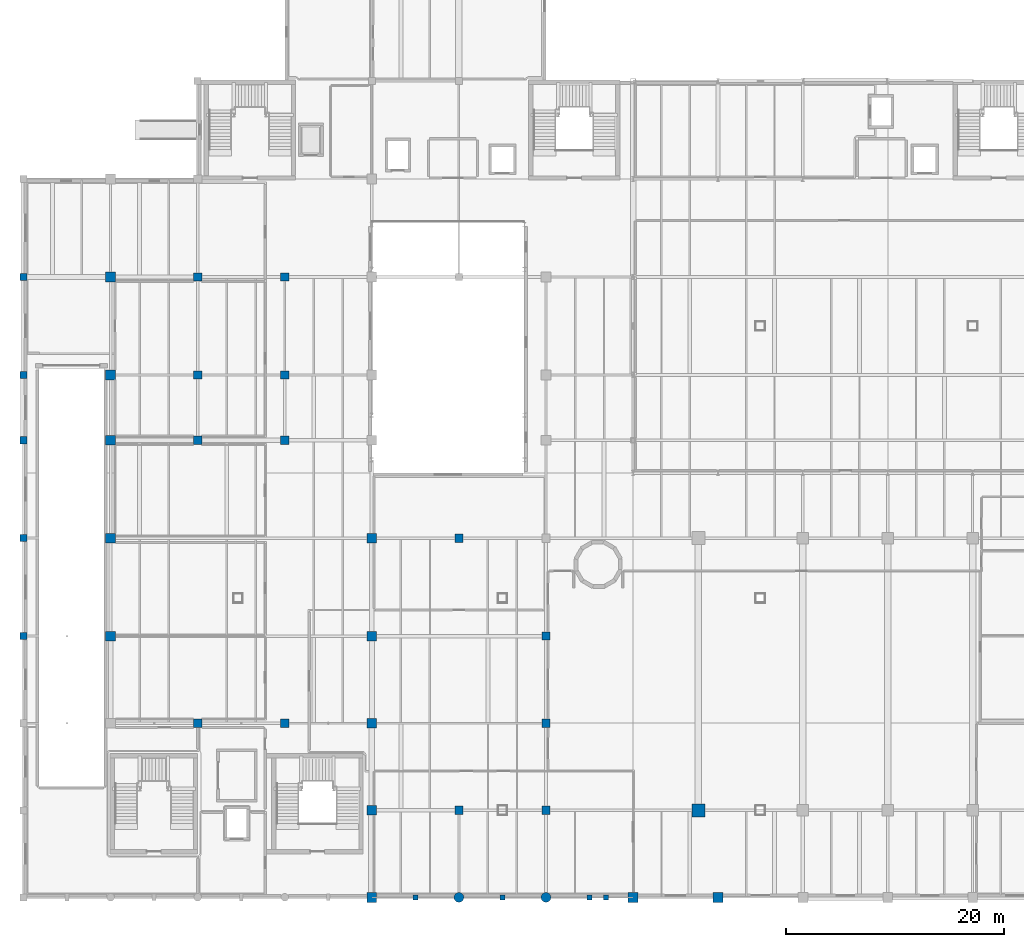
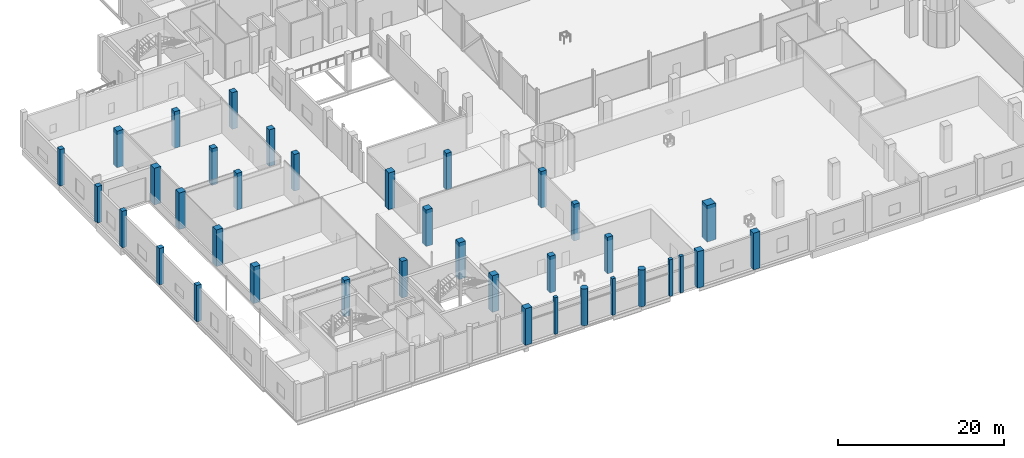
# One storey, part 2 of 57: 37 columns.
"""IFC4 building model written with IfcOpenShell, lengths in metres."""

from ifc_helpers import new_model, si_unit, derived_unit, direction, frame, origin, origin_2d, place, context, subcontext, project, spatial, rectangle, circle, extrude, material, material_profile, profile_set, type_object, element, save


model = new_model("IFC4")

# Units and contexts
model_context = context("Model", 3, precision=1e-05, world=origin(), true_north=direction((0.0, 1.0)))
body_context = subcontext(model_context, "Body", "Model", "MODEL_VIEW")
ifc_project = project(units=[si_unit("LENGTHUNIT", "METRE"), si_unit("AREAUNIT", "SQUARE_METRE"), si_unit("VOLUMEUNIT", "CUBIC_METRE"), si_unit("PLANEANGLEUNIT", "RADIAN"), si_unit("MASSUNIT", "GRAM", prefix="KILO"), derived_unit("THERMALTRANSMITTANCEUNIT", [(si_unit("POWERUNIT", "WATT"), 1), (si_unit("LENGTHUNIT", "METRE"), -2), (si_unit("THERMODYNAMICTEMPERATUREUNIT", "KELVIN"), -1)])], contexts=[model_context])

# Site, building, storey
site_placement = place(None, origin())
site = spatial("IfcSite", under=ifc_project, at=site_placement, CompositionType="ELEMENT")
building_placement = place(site_placement, origin())
building = spatial("IfcBuilding", under=site, at=building_placement, Name="Nallur Shell Playhouse", CompositionType="ELEMENT")
storey_placement = place(building_placement, origin())
storey = spatial("IfcBuildingStorey", under=building, at=storey_placement, Name="L01", CompositionType="ELEMENT", Elevation=0.0)

# Columns
ifc_material_1 = material(Name="Concrete M45", Category="concrete")
ifc_material_profile_1 = material_profile(ifc_material_1, rectangle(XDim=1.199951171875, YDim=1.199951171875, at=origin_2d()), Name="RC 1200x1200")
ifc_profile_set_1 = profile_set([ifc_material_profile_1], Name="Concrete M45")
column_type_1 = type_object("IfcColumnType", Name="CL-RC-1200", PredefinedType="COLUMN", material=ifc_profile_set_1)
column_1_placement = place(storey_placement, frame((70.0, 16.0, 0.0), z_axis=(0.0, 0.0, 1.0), x_axis=(1.0, 0.0, 0.0)))
element("IfcColumn", 1, at=column_1_placement, inside=storey, type_object=column_type_1, Name="Column MC1S (L01)", PredefinedType="COLUMN", context=body_context, shape_type="SweptSolid", body=[
    extrude(rectangle(XDim=1.199951171875, YDim=1.199951171875, at=origin_2d()), origin(), (0.0, 0.0, 1.0), 5.39990234375),
])
ifc_material_2 = material(Name="Concrete M30", Category="concrete")
ifc_material_profile_2 = material_profile(ifc_material_2, rectangle(XDim=0.449951171875, YDim=0.449951171875, at=origin_2d()), Name="RC 450x450")
ifc_profile_set_2 = profile_set([ifc_material_profile_2], Name="Concrete M30")
column_type_2 = type_object("IfcColumnType", Name="CL-RC-450", PredefinedType="COLUMN", material=ifc_profile_set_2)
for number, where, z_axis, x_axis, name in (
    (2, (44.0, 8.0, 0.0), (0.0, 0.0, 1.0), (1.0, 0.0, 0.0), "Column CAN-1 (L01)"),
    (3, (52.0, 8.0, 0.0), (0.0, 0.0, 1.0), (1.0, 0.0, 0.0), "Column CAN-2 (L01)"),
    (4, (60.0, 8.0, 0.0), (0.0, 0.0, 1.0), (1.0, 0.0, 0.0), "Column CAN-3 (L01)"),
):
    element("IfcColumn", number, at=place(storey_placement, frame(where, z_axis=z_axis, x_axis=x_axis)), inside=storey, type_object=column_type_2, Name=name, PredefinedType="COLUMN", context=body_context, shape_type="SweptSolid", body=[
        extrude(rectangle(XDim=0.449951171875, YDim=0.449951171875, at=origin_2d()), origin(), (0.0, 0.0, 1.0), 5.39990234375),
    ])
column_2_placement = place(storey_placement, frame((61.5, 8.0, 0.0), z_axis=(0.0, 0.0, 1.0), x_axis=(1.0, 0.0, 0.0)))
element("IfcColumn", 5, at=column_2_placement, inside=storey, type_object=column_type_2, Name="Column CAN-4 (L01)", PredefinedType="COLUMN", context=body_context, shape_type="SweptSolid", body=[
    extrude(rectangle(XDim=0.449951171875, YDim=0.449951171875, at=origin_2d()), origin(), (0.0, 0.0, 1.0), 5.360107421875),
])
ifc_material_3 = material(Name="Concrete M35", Category="concrete")
ifc_material_profile_3 = material_profile(ifc_material_3, rectangle(XDim=0.64990234375, YDim=0.64990234375, at=origin_2d()), Name="RC 650x650")
ifc_profile_set_3 = profile_set([ifc_material_profile_3], Name="Concrete M35")
column_type_3 = type_object("IfcColumnType", Name="CL-RC-650", PredefinedType="COLUMN", material=ifc_profile_set_3)
for number, where, z_axis, x_axis, name in (
    (6, (8.0, 32.0, 0.0), (0.0, 0.0, 1.0), (1.0, 0.0, 0.0), "Column 1-D (L01)"),
    (7, (8.0, 41.0, 0.0), (0.0, 0.0, 1.0), (1.0, 0.0, 0.0), "Column 1-E (L01)"),
    (8, (8.0, 50.0, 0.0), (0.0, 0.0, 1.0), (1.0, 0.0, 0.0), "Column 1-F (L01)"),
    (9, (8.0, 56.0, 0.0), (0.0, 0.0, 1.0), (1.0, 0.0, 0.0), "Column 1-G (L01)"),
    (10, (8.0, 65.0, 0.0), (0.0, 0.0, 1.0), (1.0, 0.0, 0.0), "Column 1-H (L01)"),
):
    element("IfcColumn", number, at=place(storey_placement, frame(where, z_axis=z_axis, x_axis=x_axis)), inside=storey, type_object=column_type_3, Name=name, PredefinedType="COLUMN", context=body_context, shape_type="SweptSolid", body=[
        extrude(rectangle(XDim=0.64990234375, YDim=0.64990234375, at=origin_2d()), origin(), (0.0, 0.0, 1.0), 5.360107421875),
    ])
ifc_material_4 = material(Name="Concrete M40", Category="concrete")
ifc_material_profile_4 = material_profile(ifc_material_4, rectangle(XDim=0.75, YDim=0.75, at=origin_2d()), Name="RC 750x750")
ifc_profile_set_4 = profile_set([ifc_material_profile_4], Name="Concrete M40")
column_type_4 = type_object("IfcColumnType", Name="CL-RC-750", PredefinedType="COLUMN", material=ifc_profile_set_4)
for number, where, z_axis, x_axis, name in (
    (11, (24.0, 24.0, 0.0), (0.0, 0.0, 1.0), (1.0, 0.0, 0.0), "Column 3-C (L01)"),
    (12, (24.0, 50.0, 0.0), (0.0, 0.0, 1.0), (1.0, 0.0, 0.0), "Column 3-F (L01)"),
    (13, (24.0, 56.0, 0.0), (0.0, 0.0, 1.0), (1.0, 0.0, 0.0), "Column 3-G (L01)"),
    (14, (24.0, 65.0, 0.0), (0.0, 0.0, 1.0), (1.0, 0.0, 0.0), "Column 3-H (L01)"),
    (15, (32.0, 24.0, 0.0), (0.0, 0.0, 1.0), (1.0, 0.0, 0.0), "Column 4-C (L01)"),
    (16, (32.0, 50.0, 0.0), (0.0, 0.0, 1.0), (1.0, 0.0, 0.0), "Column 4-F (L01)"),
    (17, (32.0, 56.0, 0.0), (0.0, 0.0, 1.0), (1.0, 0.0, 0.0), "Column 4-G (L01)"),
    (18, (32.0, 65.0, 0.0), (0.0, 0.0, 1.0), (1.0, 0.0, 0.0), "Column 4-H (L01)"),
    (19, (48.0, 16.0, 0.0), (0.0, 0.0, 1.0), (1.0, 0.0, 0.0), "Column 6-B (L01)"),
    (20, (48.0, 41.0, 0.0), (0.0, 0.0, 1.0), (1.0, 0.0, 0.0), "Column 6-E (L01)"),
    (21, (56.0, 16.0, 0.0), (0.0, 0.0, 1.0), (1.0, 0.0, 0.0), "Column 7-B (L01)"),
    (22, (56.0, 24.0, 0.0), (0.0, 0.0, 1.0), (1.0, 0.0, 0.0), "Column 7-C (L01)"),
    (23, (56.0, 32.0, 0.0), (0.0, 0.0, 1.0), (1.0, 0.0, 0.0), "Column 7-D (L01)"),
):
    element("IfcColumn", number, at=place(storey_placement, frame(where, z_axis=z_axis, x_axis=x_axis)), inside=storey, type_object=column_type_4, Name=name, PredefinedType="COLUMN", context=body_context, shape_type="SweptSolid", body=[
        extrude(rectangle(XDim=0.75, YDim=0.75, at=origin_2d()), origin(), (0.0, 0.0, 1.0), 5.39990234375),
    ])
ifc_material_profile_5 = material_profile(ifc_material_4, rectangle(XDim=0.89990234375, YDim=0.89990234375, at=origin_2d()), Name="RC 900x900")
ifc_profile_set_5 = profile_set([ifc_material_profile_5], Name="Concrete M40")
column_type_5 = type_object("IfcColumnType", Name="CL-RC-900", PredefinedType="COLUMN", material=ifc_profile_set_5)
for number, where, z_axis, x_axis, name in (
    (24, (16.0, 32.0, 0.0), (0.0, 0.0, 1.0), (1.0, 0.0, 0.0), "Column 2-D (L01)"),
    (25, (16.0, 41.0, 0.0), (0.0, 0.0, 1.0), (1.0, 0.0, 0.0), "Column 2-E (L01)"),
    (26, (16.0, 50.0, 0.0), (0.0, 0.0, 1.0), (1.0, 0.0, 0.0), "Column 2-F (L01)"),
    (27, (16.0, 56.0, 0.0), (0.0, 0.0, 1.0), (1.0, 0.0, 0.0), "Column 2-G (L01)"),
    (28, (16.0, 65.0, 0.0), (0.0, 0.0, 1.0), (1.0, 0.0, 0.0), "Column 2-H (L01)"),
    (29, (40.0, 8.0, 0.0), (0.0, 0.0, 1.0), (1.0, 0.0, 0.0), "Column 5-A (L01)"),
    (30, (40.0, 16.0, 0.0), (0.0, 0.0, 1.0), (1.0, 0.0, 0.0), "Column 5-B (L01)"),
    (31, (40.0, 24.0, 0.0), (0.0, 0.0, 1.0), (1.0, 0.0, 0.0), "Column 5-C (L01)"),
    (32, (40.0, 32.0, 0.0), (0.0, 0.0, 1.0), (1.0, 0.0, 0.0), "Column 5-D (L01)"),
    (33, (40.0, 41.0, 0.0), (0.0, 0.0, 1.0), (1.0, 0.0, 0.0), "Column 5-E (L01)"),
    (34, (64.0, 8.0, 0.0), (0.0, 0.0, 1.0), (1.0, 0.0, 0.0), "Column 8-A (L01)"),
    (35, (71.800048828125, 8.0, 0.0), (0.0, 0.0, 1.0), (1.0, 0.0, 0.0), "Column 9-A (L01)"),
):
    element("IfcColumn", number, at=place(storey_placement, frame(where, z_axis=z_axis, x_axis=x_axis)), inside=storey, type_object=column_type_5, Name=name, PredefinedType="COLUMN", context=body_context, shape_type="SweptSolid", body=[
        extrude(rectangle(XDim=0.89990234375, YDim=0.89990234375, at=origin_2d()), origin(), (0.0, 0.0, 1.0), 5.39990234375),
    ])
ifc_material_profile_6 = material_profile(ifc_material_1, circle(Radius=0.449951171875, at=origin_2d()), Name="RC D900")
ifc_profile_set_6 = profile_set([ifc_material_profile_6], Name="Concrete M45")
column_type_6 = type_object("IfcColumnType", Name="CL-RCD-900", PredefinedType="COLUMN", material=ifc_profile_set_6)
for number, where, z_axis, x_axis, name in (
    (36, (48.0, 8.0, 0.0), (0.0, 0.0, 1.0), (1.0, 0.0, 0.0), "Column 6-A (L01)"),
    (37, (56.0, 8.0, 0.0), (0.0, 0.0, 1.0), (1.0, 0.0, 0.0), "Column 7-A (L01)"),
):
    element("IfcColumn", number, at=place(storey_placement, frame(where, z_axis=z_axis, x_axis=x_axis)), inside=storey, type_object=column_type_6, Name=name, PredefinedType="COLUMN", context=body_context, shape_type="SweptSolid", body=[
        extrude(circle(Radius=0.449951171875, at=origin_2d()), origin(), (0.0, 0.0, 1.0), 5.39990234375),
    ])

save(model, "model.ifc")
